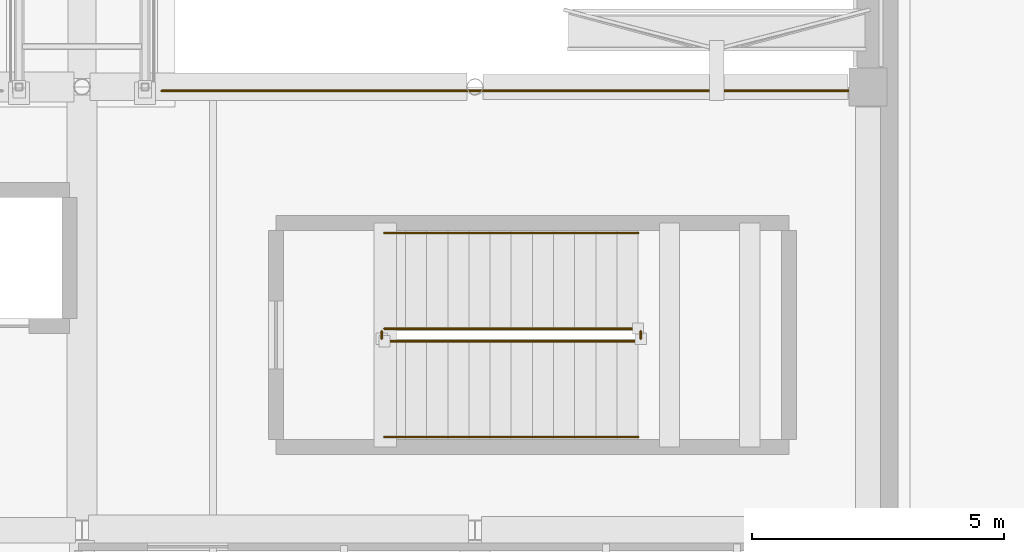
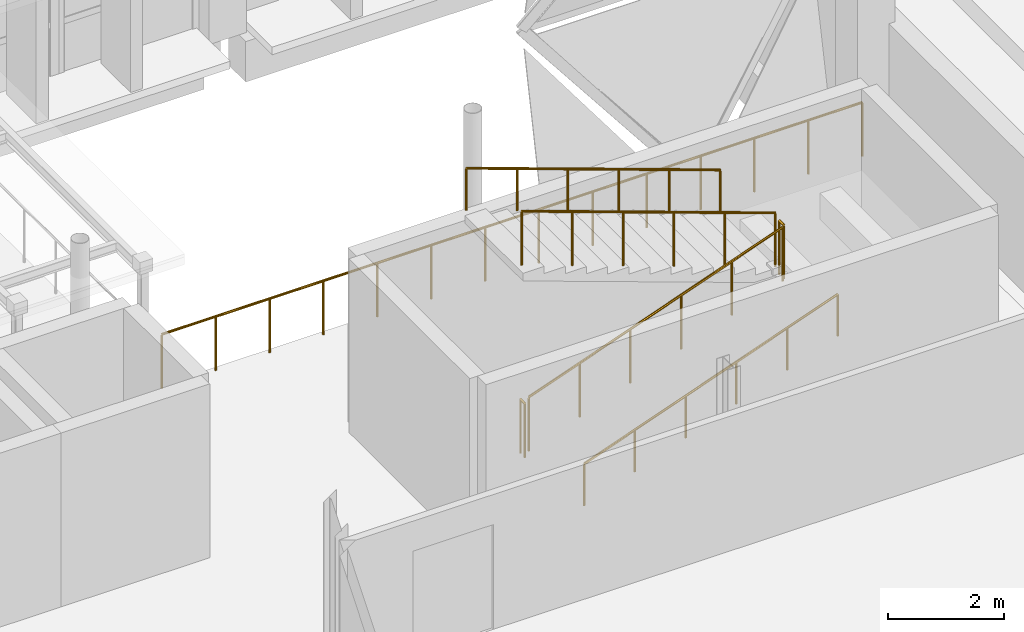
# One storey, part 75 of 80: 7 railings.
"""IFC4 building model written with IfcOpenShell, lengths in metres."""

from ifc_helpers import new_model, si_unit, direction, frame, origin, origin_2d, place, context, subcontext, project, spatial, circle, extrude, material, layer, layer_set, type_object, element, save


model = new_model("IFC4")

# Units and contexts
model_context = context("Model", 3, precision=1e-05, world=origin(), true_north=direction((0.0, 1.0)))
body_context = subcontext(model_context, "Body", "Model", "MODEL_VIEW")
ifc_project = project(units=[si_unit("LENGTHUNIT", "METRE"), si_unit("AREAUNIT", "SQUARE_METRE"), si_unit("VOLUMEUNIT", "CUBIC_METRE"), si_unit("PLANEANGLEUNIT", "RADIAN"), si_unit("MASSUNIT", "GRAM", prefix="KILO")], contexts=[model_context])

# Site, building, storey
site_placement = place(None, origin())
site = spatial("IfcSite", under=ifc_project, at=site_placement, CompositionType="ELEMENT")
building_placement = place(site_placement, origin())
building = spatial("IfcBuilding", under=site, at=building_placement, Name="Varnakota Cinema and Media Centre", CompositionType="ELEMENT")
storey_placement = place(building_placement, frame((0.0, 0.0, 4.5)))
storey = spatial("IfcBuildingStorey", under=building, at=storey_placement, Name="L01", CompositionType="ELEMENT", Elevation=4.5)

# Railings
ifc_material_1 = material(Name="Anodised golden-bronze steel Grade 350 (E350)", Category="steel")
ifc_layer_1 = layer(ifc_material_1, 0.050048828125)
ifc_layer_set_1 = layer_set([ifc_layer_1], Name="Anodised golden-bronze steel Grade 350 (E350)")
railing_type_1 = type_object("IfcRailingType", Name="RAIL-GUARD-1150", PredefinedType="BALUSTRADE", material=ifc_layer_set_1)
railing_1_placement = place(storey_placement, frame((60.97998046875, 26.320068359375, 0.0)))
element("IfcRailing", 1, at=railing_1_placement, inside=storey, type_object=railing_type_1, Name="L01 guard balustrade GRD-V6GAL-N2-L01-1", PredefinedType="BALUSTRADE", context=body_context, shape_type="SweptSolid", body=[
    extrude(circle(Radius=0.02392578125, at=origin_2d()), frame((0.0, 0.0, 1.1259765625), z_axis=(1.0, 0.0, 0.0), x_axis=(0.0, 1.0, 0.0)), (0.0, 0.0, 1.0), 13.909912109375),
    extrude(circle(Radius=0.02099609375, at=origin_2d()), origin(), (0.0, 0.0, 1.0), 1.101806640625),
    extrude(circle(Radius=0.02099609375, at=origin_2d()), frame((1.070068359375, 0.0, 0.0)), (0.0, 0.0, 1.0), 1.101806640625),
    extrude(circle(Radius=0.02099609375, at=origin_2d()), frame((2.139892578125, 0.0, 0.0)), (0.0, 0.0, 1.0), 1.101806640625),
    extrude(circle(Radius=0.02099609375, at=origin_2d()), frame((3.2099609375, 0.0, 0.0)), (0.0, 0.0, 1.0), 1.101806640625),
    extrude(circle(Radius=0.02099609375, at=origin_2d()), frame((4.280029296875, 0.0, 0.0)), (0.0, 0.0, 1.0), 1.101806640625),
    extrude(circle(Radius=0.02099609375, at=origin_2d()), frame((5.349853515625, 0.0, 0.0)), (0.0, 0.0, 1.0), 1.101806640625),
    extrude(circle(Radius=0.02099609375, at=origin_2d()), frame((6.419921875, 0.0, 0.0)), (0.0, 0.0, 1.0), 1.101806640625),
    extrude(circle(Radius=0.02099609375, at=origin_2d()), frame((7.489990234375, 0.0, 0.0)), (0.0, 0.0, 1.0), 1.101806640625),
    extrude(circle(Radius=0.02099609375, at=origin_2d()), frame((8.56005859375, 0.0, 0.0)), (0.0, 0.0, 1.0), 1.101806640625),
    extrude(circle(Radius=0.02099609375, at=origin_2d()), frame((9.6298828125, 0.0, 0.0)), (0.0, 0.0, 1.0), 1.101806640625),
    extrude(circle(Radius=0.02099609375, at=origin_2d()), frame((10.699951171875, 0.0, 0.0)), (0.0, 0.0, 1.0), 1.101806640625),
    extrude(circle(Radius=0.02099609375, at=origin_2d()), frame((11.77001953125, 0.0, 0.0)), (0.0, 0.0, 1.0), 1.101806640625),
    extrude(circle(Radius=0.02099609375, at=origin_2d()), frame((12.83984375, 0.0, 0.0)), (0.0, 0.0, 1.0), 1.101806640625),
    extrude(circle(Radius=0.02099609375, at=origin_2d()), frame((13.909912109375, 0.0, 0.0)), (0.0, 0.0, 1.0), 1.101806640625),
])
ifc_material_2 = material(Name="Structural steel Grade 350 (E350)", Category="steel")
ifc_layer_2 = layer(ifc_material_2, 0.050048828125)
ifc_layer_set_2 = layer_set([ifc_layer_2], Name="Structural steel Grade 350 (E350)")
railing_type_2 = type_object("IfcRailingType", Name="RAIL-STAIR-GUARD-1150", PredefinedType="GUARDRAIL", material=ifc_layer_set_2)
railing_2_placement = place(storey_placement, frame((65.39990234375, 21.35009765625, 0.14990234375)))
element("IfcRailing", 2, at=railing_2_placement, inside=storey, type_object=railing_type_2, Name="L01 ST-04 stair guard 1", PredefinedType="GUARDRAIL", context=body_context, shape_type="SweptSolid", body=[
    extrude(circle(Radius=0.02392578125, at=origin_2d()), frame((0.0, 0.0, 1.1259765625), z_axis=(0.94173984741, 0.0, 0.336342176659), x_axis=(0.0, 1.0, 0.0)), (0.0, 0.0, 1.0), 5.351806640625),
    extrude(circle(Radius=0.02099609375, at=origin_2d()), origin(), (0.0, 0.0, 1.0), 1.101806640625),
    extrude(circle(Radius=0.02099609375, at=origin_2d()), frame((1.008056640625, 0.0, 0.360107421875)), (0.0, 0.0, 1.0), 1.101806640625),
    extrude(circle(Radius=0.02099609375, at=origin_2d()), frame((2.01611328125, 0.0, 0.719970703125)), (0.0, 0.0, 1.0), 1.101806640625),
    extrude(circle(Radius=0.02099609375, at=origin_2d()), frame((3.02392578125, 0.0, 1.080078125)), (0.0, 0.0, 1.0), 1.101806640625),
    extrude(circle(Radius=0.02099609375, at=origin_2d()), frame((4.031982421875, 0.0, 1.43994140625)), (0.0, 0.0, 1.0), 1.101806640625),
    extrude(circle(Radius=0.02099609375, at=origin_2d()), frame((5.0400390625, 0.0, 1.800048828125)), (0.0, 0.0, 1.0), 1.101806640625),
])
railing_3_placement = place(storey_placement, frame((70.489990234375, 21.39990234375, 1.949951171875)))
element("IfcRailing", 3, at=railing_3_placement, inside=storey, type_object=railing_type_2, Name="L01 ST-04 stair guard 2", PredefinedType="GUARDRAIL", context=body_context, shape_type="SweptSolid", body=[
    extrude(circle(Radius=0.02392578125, at=origin_2d()), frame((0.0, 0.0, 1.1259765625), z_axis=(0.0, 1.0, 0.0), x_axis=(-1.0, 0.0, 0.0)), (0.0, 0.0, 1.0), 0.150146484375),
    extrude(circle(Radius=0.02099609375, at=origin_2d()), origin(), (0.0, 0.0, 1.0), 1.101806640625),
    extrude(circle(Radius=0.02099609375, at=origin_2d()), frame((0.0, 0.150146484375, 0.0)), (0.0, 0.0, 1.0), 1.101806640625),
])
railing_4_placement = place(storey_placement, frame((70.43994140625, 21.60009765625, 2.10009765625)))
element("IfcRailing", 4, at=railing_4_placement, inside=storey, type_object=railing_type_2, Name="L01 ST-04 stair guard 3", PredefinedType="GUARDRAIL", context=body_context, shape_type="SweptSolid", body=[
    extrude(circle(Radius=0.02392578125, at=origin_2d()), frame((0.0, 0.0, 1.1259765625), z_axis=(-0.941754296148, 0.0, 0.336301718233), x_axis=(0.0, -1.0, 0.0)), (0.0, 0.0, 1.0), 5.351806640625),
    extrude(circle(Radius=0.02099609375, at=origin_2d()), origin(), (0.0, 0.0, 1.0), 1.101806640625),
    extrude(circle(Radius=0.02099609375, at=origin_2d()), frame((-1.008056640625, 0.0, 0.35986328125)), (0.0, 0.0, 1.0), 1.101806640625),
    extrude(circle(Radius=0.02099609375, at=origin_2d()), frame((-2.01611328125, 0.0, 0.719970703125)), (0.0, 0.0, 1.0), 1.101806640625),
    extrude(circle(Radius=0.02099609375, at=origin_2d()), frame((-3.02392578125, 0.0, 1.079833984375)), (0.0, 0.0, 1.0), 1.101806640625),
    extrude(circle(Radius=0.02099609375, at=origin_2d()), frame((-4.031982421875, 0.0, 1.43994140625)), (0.0, 0.0, 1.0), 1.101806640625),
    extrude(circle(Radius=0.02099609375, at=origin_2d()), frame((-5.0400390625, 0.0, 1.7998046875)), (0.0, 0.0, 1.0), 1.101806640625),
])
railing_5_placement = place(storey_placement, frame((65.35009765625, 21.39990234375, 0.0)))
element("IfcRailing", 5, at=railing_5_placement, inside=storey, type_object=railing_type_2, Name="L01 ST-04 stair guard 4", PredefinedType="GUARDRAIL", context=body_context, shape_type="SweptSolid", body=[
    extrude(circle(Radius=0.02392578125, at=origin_2d()), frame((0.0, 0.0, 1.1259765625), z_axis=(0.0, 1.0, 0.0), x_axis=(-1.0, 0.0, 0.0)), (0.0, 0.0, 1.0), 0.150146484375),
    extrude(circle(Radius=0.02099609375, at=origin_2d()), origin(), (0.0, 0.0, 1.0), 1.101806640625),
    extrude(circle(Radius=0.02099609375, at=origin_2d()), frame((0.0, 0.150146484375, 0.0)), (0.0, 0.0, 1.0), 1.101806640625),
])
ifc_material_3 = material(Name="Structural steel Grade 350 (E350)", Category="steel")
ifc_layer_3 = layer(ifc_material_3, 0.048095703125)
ifc_layer_set_3 = layer_set([ifc_layer_3], Name="Structural steel Grade 350 (E350)")
railing_type_3 = type_object("IfcRailingType", Name="RAIL-STAIR-HAND-900", PredefinedType="HANDRAIL", material=ifc_layer_set_3)
railing_6_placement = place(storey_placement, frame((65.39990234375, 19.449951171875, 0.14990234375)))
element("IfcRailing", 6, at=railing_6_placement, inside=storey, type_object=railing_type_3, Name="L01 ST-04 stair handrail 1", PredefinedType="HANDRAIL", context=body_context, shape_type="SweptSolid", body=[
    extrude(circle(Radius=0.02392578125, at=origin_2d()), frame((0.0, 0.0, 0.8759765625), z_axis=(0.94173984741, 0.0, 0.336342176659), x_axis=(0.0, 1.0, 0.0)), (0.0, 0.0, 1.0), 5.351806640625),
    extrude(circle(Radius=0.02099609375, at=origin_2d()), origin(), (0.0, 0.0, 1.0), 0.851806640625),
    extrude(circle(Radius=0.02099609375, at=origin_2d()), frame((1.008056640625, 0.0, 0.360107421875)), (0.0, 0.0, 1.0), 0.851806640625),
    extrude(circle(Radius=0.02099609375, at=origin_2d()), frame((2.01611328125, 0.0, 0.719970703125)), (0.0, 0.0, 1.0), 0.851806640625),
    extrude(circle(Radius=0.02099609375, at=origin_2d()), frame((3.02392578125, 0.0, 1.080078125)), (0.0, 0.0, 1.0), 0.851806640625),
    extrude(circle(Radius=0.02099609375, at=origin_2d()), frame((4.031982421875, 0.0, 1.43994140625)), (0.0, 0.0, 1.0), 0.851806640625),
    extrude(circle(Radius=0.02099609375, at=origin_2d()), frame((5.0400390625, 0.0, 1.800048828125)), (0.0, 0.0, 1.0), 0.851806640625),
])
railing_7_placement = place(storey_placement, frame((70.43994140625, 23.5, 2.10009765625)))
element("IfcRailing", 7, at=railing_7_placement, inside=storey, type_object=railing_type_3, Name="L01 ST-04 stair handrail 2", PredefinedType="HANDRAIL", context=body_context, shape_type="SweptSolid", body=[
    extrude(circle(Radius=0.02392578125, at=origin_2d()), frame((0.0, 0.0, 0.8759765625), z_axis=(-0.941754296148, 0.0, 0.336301718233), x_axis=(0.0, -1.0, 0.0)), (0.0, 0.0, 1.0), 5.351806640625),
    extrude(circle(Radius=0.02099609375, at=origin_2d()), origin(), (0.0, 0.0, 1.0), 0.851806640625),
    extrude(circle(Radius=0.02099609375, at=origin_2d()), frame((-1.008056640625, 0.0, 0.35986328125)), (0.0, 0.0, 1.0), 0.851806640625),
    extrude(circle(Radius=0.02099609375, at=origin_2d()), frame((-2.01611328125, 0.0, 0.719970703125)), (0.0, 0.0, 1.0), 0.851806640625),
    extrude(circle(Radius=0.02099609375, at=origin_2d()), frame((-3.02392578125, 0.0, 1.079833984375)), (0.0, 0.0, 1.0), 0.851806640625),
    extrude(circle(Radius=0.02099609375, at=origin_2d()), frame((-4.031982421875, 0.0, 1.43994140625)), (0.0, 0.0, 1.0), 0.851806640625),
    extrude(circle(Radius=0.02099609375, at=origin_2d()), frame((-5.0400390625, 0.0, 1.7998046875)), (0.0, 0.0, 1.0), 0.851806640625),
])

save(model, "model.ifc")
